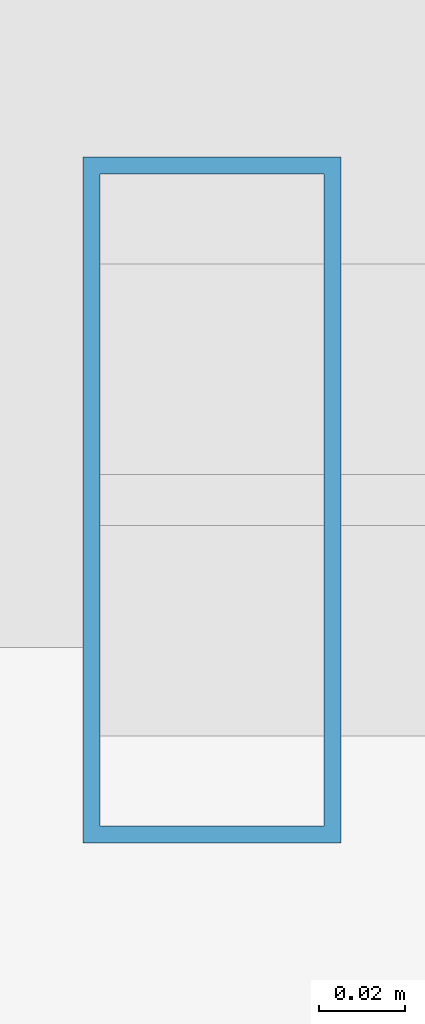
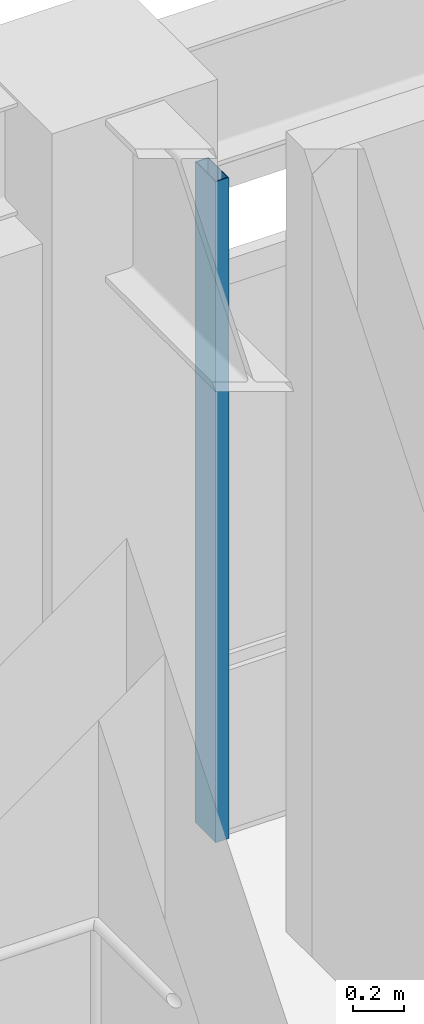
# One storey, part 9 of 26: 1 member, 1 element without a shape of its own.
"""IFC4 building model written with IfcOpenShell, lengths in metres."""

from ifc_helpers import new_model, si_unit, direction, frame, origin, origin_2d, place, context, subcontext, project, spatial, hollow_rectangle, extrude, material, material_profile, profile_set, type_object, element, aggregate, save


model = new_model("IFC4")

# Units and contexts
model_context = context("Model", 3, precision=1e-05, world=origin(), true_north=direction((0.0, 1.0)))
body_context = subcontext(model_context, "Body", "Model", "MODEL_VIEW")
ifc_project = project(units=[si_unit("LENGTHUNIT", "METRE"), si_unit("AREAUNIT", "SQUARE_METRE"), si_unit("VOLUMEUNIT", "CUBIC_METRE"), si_unit("PLANEANGLEUNIT", "RADIAN"), si_unit("MASSUNIT", "GRAM", prefix="KILO"), si_unit("THERMODYNAMICTEMPERATUREUNIT", "KELVIN"), si_unit("POWERUNIT", "WATT")], contexts=[model_context])

# Site, building, storey
site_placement = place(None, origin())
site = spatial("IfcSite", under=ifc_project, at=site_placement, CompositionType="ELEMENT")
building_placement = place(site_placement, origin())
building = spatial("IfcBuilding", under=site, at=building_placement, Name="Tepalcoro Natatorium and Aquatics Centre", CompositionType="ELEMENT")
storey_placement = place(building_placement, frame((0.0, 0.0, 19.0)))
storey = spatial("IfcBuildingStorey", under=building, at=storey_placement, Name="L04", CompositionType="ELEMENT", Elevation=19.0)

# Curtain wall, member
ifc_material = material(Name="Bronze-Anodised Extruded Aluminium Alloy EN AW-6063 T6", Category="aluminium")
curtain_wall_type = type_object("IfcCurtainWallType", Name="CW_LEAN_T2_EW", PredefinedType="USERDEFINED", material=ifc_material)
curtain_wall_placement = place(storey_placement, origin())
curtain_wall = element("IfcCurtainWall", 1, at=curtain_wall_placement, inside=storey, type_object=curtain_wall_type, Name="V5 L04 N Unitised Curtain Wall Bay 4", ObjectType="FACETED SOLAR GLAZING", PredefinedType="USERDEFINED")
ifc_material_profile = material_profile(ifc_material, hollow_rectangle(XDim=0.06005859375, YDim=0.159912109375, WallThickness=0.00390625, at=origin_2d()), Name="AL60X160X4")
ifc_profile_set = profile_set([ifc_material_profile], Name="Bronze-Anodised Extruded Aluminium Alloy EN AW-6063 T6")
member_type = type_object("IfcMemberType", Name="CW_MUL_60x160", PredefinedType="MULLION", material=ifc_profile_set)
member_placement = place(storey_placement, frame((142.52001953125, 117.919921875, 0.02001953125), z_axis=(0.0, 0.0, 1.0), x_axis=(1.0, 0.0, 0.0)))
member = element("IfcMember", 2, at=member_placement, type_object=member_type, Name="CW_LEAN_T2_EW Curtain Wall Mullion", PredefinedType="MULLION", context=body_context, shape_type="SweptSolid", body=[
    extrude(hollow_rectangle(XDim=0.06005859375, YDim=0.159912109375, WallThickness=0.00390625, at=origin_2d()), origin(), (0.0, 0.0, 1.0), 3.16796875),
])
aggregate(curtain_wall, [member])

save(model, "model.ifc")
